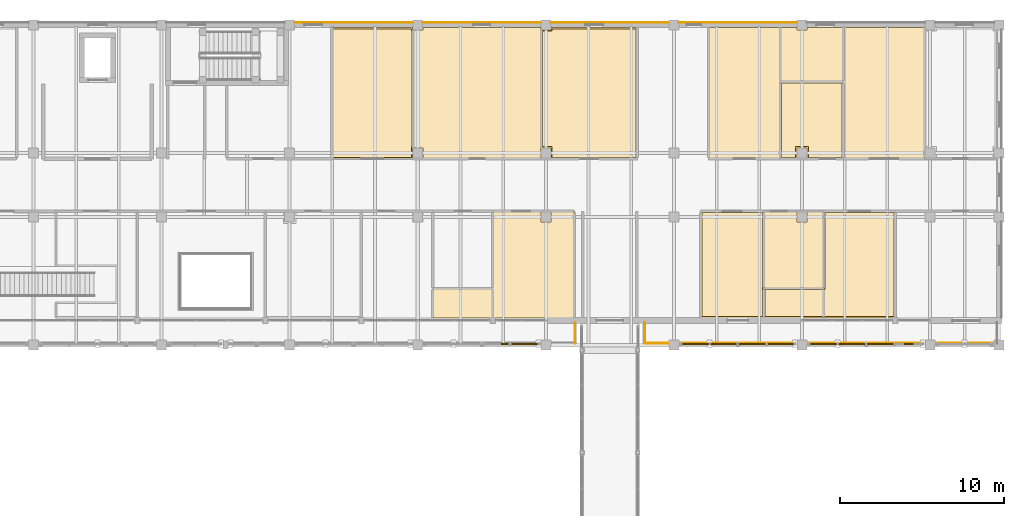
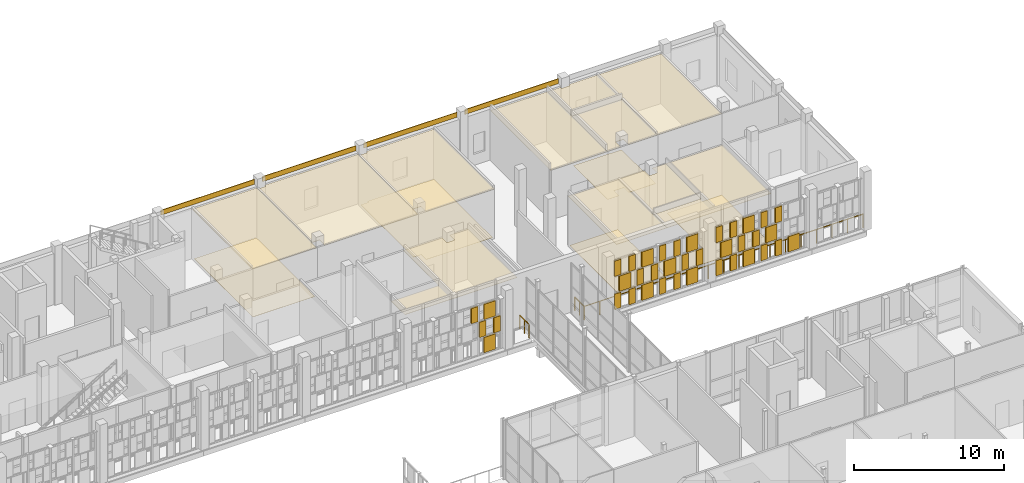
# One storey, part 137 of 138: 57 coverings, 3 railings.
"""IFC4 building model written with IfcOpenShell, lengths in metres."""

from ifc_helpers import new_model, si_unit, direction, frame, origin, origin_2d, place, context, subcontext, project, spatial, polyline, rectangle, circle, outline, extrude, material, layer, layer_set, type_object, element, save


model = new_model("IFC4")

# Units and contexts
model_context = context("Model", 3, precision=1e-05, world=origin(), true_north=direction((0.0, 1.0)))
body_context = subcontext(model_context, "Body", "Model", "MODEL_VIEW")
ifc_project = project(units=[si_unit("LENGTHUNIT", "METRE"), si_unit("AREAUNIT", "SQUARE_METRE"), si_unit("VOLUMEUNIT", "CUBIC_METRE"), si_unit("PLANEANGLEUNIT", "RADIAN"), si_unit("MASSUNIT", "GRAM", prefix="KILO")], contexts=[model_context])

# Site, building, storey
site_placement = place(None, origin())
site = spatial("IfcSite", under=ifc_project, at=site_placement, CompositionType="ELEMENT")
building_placement = place(site_placement, origin())
building = spatial("IfcBuilding", under=site, at=building_placement, Name="Celorna Specialist Clinic", CompositionType="ELEMENT")
storey_placement = place(building_placement, frame((0.0, 0.0, 4.800048828125)))
storey = spatial("IfcBuildingStorey", under=building, at=storey_placement, Name="L01", CompositionType="ELEMENT", Elevation=4.800048828125)

# Railings
ifc_material_1 = material(Name="Stainless steel and laminated glass balustrade", Category="steel")
railing_type = type_object("IfcRailingType", Name="BL-01", PredefinedType="BALUSTRADE", material=ifc_material_1)
railing_1_placement = place(storey_placement, frame((142.179931640625, 97.8798828125, 0.0)))
element("IfcRailing", 1, at=railing_1_placement, inside=storey, type_object=railing_type, Name="Central Outpatient Cloister Veranda perimeter balustrade 3", PredefinedType="BALUSTRADE", context=body_context, shape_type="SweptSolid", body=[
    extrude(circle(Radius=0.02392578125, at=origin_2d()), frame((0.0, 0.0, 1.09619140625), z_axis=(0.0, -1.0, 0.0), x_axis=(1.0, 0.0, 0.0)), (0.0, 0.0, 1.0), 1.259765625),
    extrude(circle(Radius=0.02099609375, at=origin_2d()), origin(), (0.0, 0.0, 1.0), 1.072021484375),
    extrude(circle(Radius=0.02099609375, at=origin_2d()), frame((0.0, -0.6298828125, 0.0)), (0.0, 0.0, 1.0), 1.072021484375),
    extrude(circle(Radius=0.02099609375, at=origin_2d()), frame((0.0, -1.259765625, 0.0)), (0.0, 0.0, 1.0), 1.072021484375),
])
railing_2_placement = place(storey_placement, frame((146.419921875, 96.6201171875, 0.0)))
element("IfcRailing", 2, at=railing_2_placement, inside=storey, type_object=railing_type, Name="East Outpatient Cloister Veranda perimeter balustrade 1", PredefinedType="BALUSTRADE", context=body_context, shape_type="SweptSolid", body=[
    extrude(circle(Radius=0.02392578125, at=origin_2d()), frame((0.0, 0.0, 1.09619140625), z_axis=(0.0, 1.0, 0.0), x_axis=(-1.0, 0.0, 0.0)), (0.0, 0.0, 1.0), 1.259765625),
    extrude(circle(Radius=0.02099609375, at=origin_2d()), origin(), (0.0, 0.0, 1.0), 1.072021484375),
    extrude(circle(Radius=0.02099609375, at=origin_2d()), frame((0.0, 0.6298828125, 0.0)), (0.0, 0.0, 1.0), 1.072021484375),
    extrude(circle(Radius=0.02099609375, at=origin_2d()), frame((0.0, 1.259765625, 0.0)), (0.0, 0.0, 1.0), 1.072021484375),
])
railing_3_placement = place(storey_placement, frame((167.8798828125, 96.6201171875, 0.0)))
element("IfcRailing", 3, at=railing_3_placement, inside=storey, type_object=railing_type, Name="East Outpatient Cloister Veranda perimeter balustrade 4", PredefinedType="BALUSTRADE", context=body_context, shape_type="SweptSolid", body=[
    extrude(circle(Radius=0.02392578125, at=origin_2d()), frame((0.0, 0.0, 1.09619140625), z_axis=(-1.0, 0.0, 0.0), x_axis=(0.0, -1.0, 0.0)), (0.0, 0.0, 1.0), 21.4599609375),
    extrude(circle(Radius=0.02099609375, at=origin_2d()), origin(), (0.0, 0.0, 1.0), 1.072021484375),
    extrude(circle(Radius=0.02099609375, at=origin_2d()), frame((-1.192138671875, 0.0, 0.0)), (0.0, 0.0, 1.0), 1.072021484375),
    extrude(circle(Radius=0.02099609375, at=origin_2d()), frame((-2.384521484375, 0.0, 0.0)), (0.0, 0.0, 1.0), 1.072021484375),
    extrude(circle(Radius=0.02099609375, at=origin_2d()), frame((-3.57666015625, 0.0, 0.0)), (0.0, 0.0, 1.0), 1.072021484375),
    extrude(circle(Radius=0.02099609375, at=origin_2d()), frame((-4.768798828125, 0.0, 0.0)), (0.0, 0.0, 1.0), 1.072021484375),
    extrude(circle(Radius=0.02099609375, at=origin_2d()), frame((-5.961181640625, 0.0, 0.0)), (0.0, 0.0, 1.0), 1.072021484375),
    extrude(circle(Radius=0.02099609375, at=origin_2d()), frame((-7.1533203125, 0.0, 0.0)), (0.0, 0.0, 1.0), 1.072021484375),
    extrude(circle(Radius=0.02099609375, at=origin_2d()), frame((-8.345458984375, 0.0, 0.0)), (0.0, 0.0, 1.0), 1.072021484375),
    extrude(circle(Radius=0.02099609375, at=origin_2d()), frame((-9.537841796875, 0.0, 0.0)), (0.0, 0.0, 1.0), 1.072021484375),
    extrude(circle(Radius=0.02099609375, at=origin_2d()), frame((-10.72998046875, 0.0, 0.0)), (0.0, 0.0, 1.0), 1.072021484375),
    extrude(circle(Radius=0.02099609375, at=origin_2d()), frame((-11.922119140625, 0.0, 0.0)), (0.0, 0.0, 1.0), 1.072021484375),
    extrude(circle(Radius=0.02099609375, at=origin_2d()), frame((-13.114501953125, 0.0, 0.0)), (0.0, 0.0, 1.0), 1.072021484375),
    extrude(circle(Radius=0.02099609375, at=origin_2d()), frame((-14.306640625, 0.0, 0.0)), (0.0, 0.0, 1.0), 1.072021484375),
    extrude(circle(Radius=0.02099609375, at=origin_2d()), frame((-15.498779296875, 0.0, 0.0)), (0.0, 0.0, 1.0), 1.072021484375),
    extrude(circle(Radius=0.02099609375, at=origin_2d()), frame((-16.691162109375, 0.0, 0.0)), (0.0, 0.0, 1.0), 1.072021484375),
    extrude(circle(Radius=0.02099609375, at=origin_2d()), frame((-17.88330078125, 0.0, 0.0)), (0.0, 0.0, 1.0), 1.072021484375),
    extrude(circle(Radius=0.02099609375, at=origin_2d()), frame((-19.075439453125, 0.0, 0.0)), (0.0, 0.0, 1.0), 1.072021484375),
    extrude(circle(Radius=0.02099609375, at=origin_2d()), frame((-20.267822265625, 0.0, 0.0)), (0.0, 0.0, 1.0), 1.072021484375),
    extrude(circle(Radius=0.02099609375, at=origin_2d()), frame((-21.4599609375, 0.0, 0.0)), (0.0, 0.0, 1.0), 1.072021484375),
])

# Coverings
ifc_material_2 = material(Name="Hygienic acoustic mineral-fibre ceiling")
ifc_layer_1 = layer(ifc_material_2, 0.030029296875, Name="Hygienic acoustic mineral-fibre ceiling")
ifc_layer_set_1 = layer_set([ifc_layer_1], Name="Hygienic acoustic mineral-fibre ceiling")
covering_type_1 = type_object("IfcCoveringType", Name="CE-01", PredefinedType="CEILING", material=ifc_layer_set_1)
covering_1_placement = place(storey_placement, frame((0.0, 0.0, 3.989990234375)))
element("IfcCovering", 4, at=covering_1_placement, inside=storey, type_object=covering_type_1, Name="Acoustic ceiling L01-069", PredefinedType="CEILING", context=body_context, shape_type="SweptSolid", body=[
    extrude(outline(polyline([(137.155029296875, 104.6650390625), (140.10498046875, 104.6650390625), (140.10498046875, 104.60498046875), (140.094970703125, 104.60498046875), (140.094970703125, 103.9951171875), (140.705078125, 103.9951171875), (140.705078125, 104.60498046875), (140.695068359375, 104.60498046875), (140.695068359375, 104.6650390625), (142.135009765625, 104.6650390625), (142.135009765625, 98.155029296875), (133.5048828125, 98.155029296875), (133.5048828125, 99.965087890625), (137.155029296875, 99.965087890625), (137.155029296875, 104.6650390625)])), origin(), (0.0, 0.0, 1.0), 0.030029296875),
])
covering_2_placement = place(storey_placement, frame((0.0, 0.0, 3.989990234375)))
element("IfcCovering", 5, at=covering_2_placement, inside=storey, type_object=covering_type_1, Name="Acoustic ceiling L01-070", PredefinedType="CEILING", context=body_context, shape_type="SweptSolid", body=[
    extrude(outline(polyline([(153.68505859375, 104.6650390625), (153.68505859375, 98.155029296875), (149.804931640625, 98.155029296875), (149.804931640625, 104.6650390625), (153.68505859375, 104.6650390625)])), origin(), (0.0, 0.0, 1.0), 0.030029296875),
])
covering_3_placement = place(storey_placement, frame((0.0, 0.0, 3.989990234375)))
element("IfcCovering", 6, at=covering_3_placement, inside=storey, type_object=covering_type_1, Name="Acoustic ceiling L01-071", PredefinedType="CEILING", context=body_context, shape_type="SweptSolid", body=[
    extrude(outline(polyline([(155.705078125, 104.6650390625), (155.705078125, 104.60498046875), (155.695068359375, 104.60498046875), (155.695068359375, 103.9951171875), (156.304931640625, 103.9951171875), (156.304931640625, 104.60498046875), (156.294921875, 104.60498046875), (156.294921875, 104.6650390625), (157.3349609375, 104.6650390625), (157.3349609375, 99.93505859375), (153.655029296875, 99.93505859375), (153.655029296875, 104.6650390625), (155.705078125, 104.6650390625)])), origin(), (0.0, 0.0, 1.0), 0.030029296875),
])
covering_4_placement = place(storey_placement, frame((0.0, 0.0, 3.989990234375)))
element("IfcCovering", 7, at=covering_4_placement, inside=storey, type_object=covering_type_1, Name="Acoustic ceiling L01-072", PredefinedType="CEILING", context=body_context, shape_type="SweptSolid", body=[
    extrude(outline(polyline([(157.304931640625, 104.6650390625), (161.68505859375, 104.6650390625), (161.68505859375, 98.155029296875), (153.655029296875, 98.155029296875), (153.655029296875, 99.965087890625), (157.304931640625, 99.965087890625), (157.304931640625, 104.6650390625)])), origin(), (0.0, 0.0, 1.0), 0.030029296875),
])
covering_5_placement = place(storey_placement, frame((0.0, 0.0, 3.989990234375)))
element("IfcCovering", 8, at=covering_5_placement, inside=storey, type_object=covering_type_1, Name="Acoustic ceiling L01-084", PredefinedType="CEILING", context=body_context, shape_type="SweptSolid", body=[
    extrude(outline(polyline([(132.294921875, 115.844970703125), (132.294921875, 115.695068359375), (132.3349609375, 115.695068359375), (132.3349609375, 108.5048828125), (132.294921875, 108.5048828125), (132.294921875, 107.89501953125), (132.304931640625, 107.89501953125), (132.304931640625, 107.8349609375), (127.35498046875, 107.8349609375), (127.35498046875, 115.844970703125), (132.294921875, 115.844970703125)])), origin(), (0.0, 0.0, 1.0), 0.030029296875),
])
covering_6_placement = place(storey_placement, frame((0.0, 0.0, 3.989990234375)))
element("IfcCovering", 9, at=covering_6_placement, inside=storey, type_object=covering_type_1, Name="Acoustic ceiling L01-085", PredefinedType="CEILING", context=body_context, shape_type="SweptSolid", body=[
    extrude(outline(polyline([(132.89501953125, 107.89501953125), (132.905029296875, 107.89501953125), (132.905029296875, 108.5048828125), (132.304931640625, 108.5048828125), (132.304931640625, 115.695068359375), (132.905029296875, 115.695068359375), (132.905029296875, 115.844970703125), (140.094970703125, 115.844970703125), (140.094970703125, 115.695068359375), (140.135009765625, 115.695068359375), (140.135009765625, 108.5048828125), (140.094970703125, 108.5048828125), (140.094970703125, 107.89501953125), (140.10498046875, 107.89501953125), (140.10498046875, 107.8349609375), (132.89501953125, 107.8349609375), (132.89501953125, 107.89501953125)])), origin(), (0.0, 0.0, 1.0), 0.030029296875),
])
covering_7_placement = place(storey_placement, frame((0.0, 0.0, 3.989990234375)))
element("IfcCovering", 10, at=covering_7_placement, inside=storey, type_object=covering_type_1, Name="Acoustic ceiling L01-086", PredefinedType="CEILING", context=body_context, shape_type="SweptSolid", body=[
    extrude(outline(polyline([(140.695068359375, 107.89501953125), (140.705078125, 107.89501953125), (140.705078125, 108.5048828125), (140.10498046875, 108.5048828125), (140.10498046875, 115.695068359375), (140.705078125, 115.695068359375), (140.705078125, 115.844970703125), (145.985107421875, 115.844970703125), (145.985107421875, 107.8349609375), (140.695068359375, 107.8349609375), (140.695068359375, 107.89501953125)])), origin(), (0.0, 0.0, 1.0), 0.030029296875),
])
covering_8_placement = place(storey_placement, frame((0.0, 0.0, 3.989990234375)))
element("IfcCovering", 11, at=covering_8_placement, inside=storey, type_object=covering_type_1, Name="Acoustic ceiling L01-087", PredefinedType="CEILING", context=body_context, shape_type="SweptSolid", body=[
    extrude(outline(polyline([(154.68505859375, 115.844970703125), (154.68505859375, 107.8349609375), (150.304931640625, 107.8349609375), (150.304931640625, 115.844970703125), (154.68505859375, 115.844970703125)])), origin(), (0.0, 0.0, 1.0), 0.030029296875),
])
covering_9_placement = place(storey_placement, frame((0.0, 0.0, 3.989990234375)))
element("IfcCovering", 12, at=covering_9_placement, inside=storey, type_object=covering_type_1, Name="Acoustic ceiling L01-088", PredefinedType="CEILING", context=body_context, shape_type="SweptSolid", body=[
    extrude(outline(polyline([(158.534912109375, 112.56494140625), (158.534912109375, 107.8349609375), (156.294921875, 107.8349609375), (156.294921875, 107.89501953125), (156.304931640625, 107.89501953125), (156.304931640625, 108.5048828125), (155.695068359375, 108.5048828125), (155.695068359375, 107.89501953125), (155.705078125, 107.89501953125), (155.705078125, 107.8349609375), (154.655029296875, 107.8349609375), (154.655029296875, 112.56494140625), (158.534912109375, 112.56494140625)])), origin(), (0.0, 0.0, 1.0), 0.030029296875),
])
covering_10_placement = place(storey_placement, frame((0.0, 0.0, 3.989990234375)))
element("IfcCovering", 13, at=covering_10_placement, inside=storey, type_object=covering_type_1, Name="Acoustic ceiling L01-089", PredefinedType="CEILING", context=body_context, shape_type="SweptSolid", body=[
    extrude(outline(polyline([(158.5048828125, 112.534912109375), (154.655029296875, 112.534912109375), (154.655029296875, 115.844970703125), (155.695068359375, 115.844970703125), (155.695068359375, 115.695068359375), (156.304931640625, 115.695068359375), (156.304931640625, 115.844970703125), (163.485107421875, 115.844970703125), (163.485107421875, 107.8349609375), (158.5048828125, 107.8349609375), (158.5048828125, 112.534912109375)])), origin(), (0.0, 0.0, 1.0), 0.030029296875),
])
ifc_material_3 = material(Name="Pero Pinheiro Lioz limestone rainscreen cladding", Category="masonry")
ifc_layer_2 = layer(ifc_material_3, 0.044921875, Name="Pero Pinheiro Lioz limestone rainscreen cladding")
ifc_layer_set_2 = layer_set([ifc_layer_2], Name="Pero Pinheiro Lioz limestone rainscreen cladding")
covering_type_2 = type_object("IfcCoveringType", Name="CL-01", PredefinedType="CLADDING", material=ifc_layer_set_2)
for number, where, z_axis, x_axis, name in (
    (14, (128.699951171875, 116.1474609375, 4.139892578125), (0.0, 0.0, 1.0), (1.0, 0.0, 0.0), "Lioz spandrel cladding #218"),
    (15, (136.5, 116.1474609375, 4.139892578125), (0.0, 0.0, 1.0), (1.0, 0.0, 0.0), "Lioz spandrel cladding #219"),
    (16, (144.300048828125, 116.1474609375, 4.139892578125), (0.0, 0.0, 1.0), (1.0, 0.0, 0.0), "Lioz spandrel cladding #220"),
    (17, (152.10009765625, 116.1474609375, 4.139892578125), (0.0, 0.0, 1.0), (1.0, 0.0, 0.0), "Lioz spandrel cladding #221"),
):
    element("IfcCovering", number, at=place(storey_placement, frame(where, z_axis=z_axis, x_axis=x_axis)), inside=storey, type_object=covering_type_2, Name=name, PredefinedType="CLADDING", context=body_context, shape_type="SweptSolid", body=[
        extrude(rectangle(XDim=7.199951171875, YDim=0.044921875, at=origin_2d()), origin(), (0.0, 0.0, 1.0), 0.39990234375),
    ])
ifc_material_4 = material(Name="Perforated terracotta brick weave cladding", Category="masonry")
ifc_layer_3 = layer(ifc_material_4, 0.114990234375, Name="Perforated terracotta brick weave cladding")
ifc_layer_set_3 = layer_set([ifc_layer_3], Name="Perforated terracotta brick weave cladding")
covering_type_3 = type_object("IfcCoveringType", Name="CL-02", PredefinedType="CLADDING", material=ifc_layer_set_3)
covering_11_placement = place(storey_placement, frame((137.924560546875, 96.570068359375, 2.793212890625), z_axis=(0.0, 0.0, 1.0), x_axis=(1.0, 0.0, 0.0)))
element("IfcCovering", 18, at=covering_11_placement, inside=storey, type_object=covering_type_3, Name="Woven perforated terracotta brick course #810", PredefinedType="CLADDING", context=body_context, shape_type="SweptSolid", body=[
    extrude(rectangle(XDim=0.490966796875, YDim=0.114990234375, at=origin_2d()), origin(), (0.0, 0.0, 1.0), 1.24658203125),
])
covering_12_placement = place(storey_placement, frame((139.094970703125, 96.570068359375, 0.10009765625), z_axis=(0.0, 0.0, 1.0), x_axis=(1.0, 0.0, 0.0)))
element("IfcCovering", 19, at=covering_12_placement, inside=storey, type_object=covering_type_3, Name="Woven perforated terracotta brick course #811", PredefinedType="CLADDING", context=body_context, shape_type="SweptSolid", body=[
    extrude(rectangle(XDim=0.869384765625, YDim=0.114990234375, at=origin_2d()), origin(), (0.0, 0.0, 1.0), 1.24658203125),
])
for number, where, z_axis, x_axis, name in (
    (20, (138.535400390625, 96.570068359375, 1.44677734375), (0.0, 0.0, 1.0), (1.0, 0.0, 0.0), "Woven perforated terracotta brick course #812"),
    (21, (139.654541015625, 96.570068359375, 1.44677734375), (0.0, 0.0, 1.0), (1.0, 0.0, 0.0), "Woven perforated terracotta brick course #813"),
):
    element("IfcCovering", number, at=place(storey_placement, frame(where, z_axis=z_axis, x_axis=x_axis)), inside=storey, type_object=covering_type_3, Name=name, PredefinedType="CLADDING", context=body_context, shape_type="SweptSolid", body=[
        extrude(rectangle(XDim=0.490966796875, YDim=0.114990234375, at=origin_2d()), origin(), (0.0, 0.0, 1.0), 1.24658203125),
    ])
covering_13_placement = place(storey_placement, frame((139.094970703125, 96.570068359375, 2.793212890625), z_axis=(0.0, 0.0, 1.0), x_axis=(1.0, 0.0, 0.0)))
element("IfcCovering", 22, at=covering_13_placement, inside=storey, type_object=covering_type_3, Name="Woven perforated terracotta brick course #814", PredefinedType="CLADDING", context=body_context, shape_type="SweptSolid", body=[
    extrude(rectangle(XDim=0.869384765625, YDim=0.114990234375, at=origin_2d()), origin(), (0.0, 0.0, 1.0), 1.24658203125),
])
for number, where, z_axis, x_axis, name in (
    (23, (148.945556640625, 96.570068359375, 0.10009765625), (0.0, 0.0, 1.0), (1.0, 0.0, 0.0), "Woven perforated terracotta brick course #815"),
    (24, (150.064453125, 96.570068359375, 0.10009765625), (0.0, 0.0, 1.0), (1.0, 0.0, 0.0), "Woven perforated terracotta brick course #816"),
):
    element("IfcCovering", number, at=place(storey_placement, frame(where, z_axis=z_axis, x_axis=x_axis)), inside=storey, type_object=covering_type_3, Name=name, PredefinedType="CLADDING", context=body_context, shape_type="SweptSolid", body=[
        extrude(rectangle(XDim=0.4912109375, YDim=0.114990234375, at=origin_2d()), origin(), (0.0, 0.0, 1.0), 1.24658203125),
    ])
covering_14_placement = place(storey_placement, frame((149.5048828125, 96.570068359375, 1.44677734375), z_axis=(0.0, 0.0, 1.0), x_axis=(1.0, 0.0, 0.0)))
element("IfcCovering", 25, at=covering_14_placement, inside=storey, type_object=covering_type_3, Name="Woven perforated terracotta brick course #817", PredefinedType="CLADDING", context=body_context, shape_type="SweptSolid", body=[
    extrude(rectangle(XDim=0.869384765625, YDim=0.114990234375, at=origin_2d()), origin(), (0.0, 0.0, 1.0), 1.24658203125),
])
for number, where, z_axis, x_axis, name in (
    (26, (148.945556640625, 96.570068359375, 2.793212890625), (0.0, 0.0, 1.0), (1.0, 0.0, 0.0), "Woven perforated terracotta brick course #818"),
    (27, (150.064453125, 96.570068359375, 2.793212890625), (0.0, 0.0, 1.0), (1.0, 0.0, 0.0), "Woven perforated terracotta brick course #819"),
):
    element("IfcCovering", number, at=place(storey_placement, frame(where, z_axis=z_axis, x_axis=x_axis)), inside=storey, type_object=covering_type_3, Name=name, PredefinedType="CLADDING", context=body_context, shape_type="SweptSolid", body=[
        extrude(rectangle(XDim=0.4912109375, YDim=0.114990234375, at=origin_2d()), origin(), (0.0, 0.0, 1.0), 1.24658203125),
    ])
covering_15_placement = place(storey_placement, frame((151.235107421875, 96.570068359375, 0.10009765625), z_axis=(0.0, 0.0, 1.0), x_axis=(1.0, 0.0, 0.0)))
element("IfcCovering", 28, at=covering_15_placement, inside=storey, type_object=covering_type_3, Name="Woven perforated terracotta brick course #820", PredefinedType="CLADDING", context=body_context, shape_type="SweptSolid", body=[
    extrude(rectangle(XDim=0.869384765625, YDim=0.114990234375, at=origin_2d()), origin(), (0.0, 0.0, 1.0), 1.24658203125),
])
for number, where, z_axis, x_axis, name in (
    (29, (150.675537109375, 96.570068359375, 1.44677734375), (0.0, 0.0, 1.0), (1.0, 0.0, 0.0), "Woven perforated terracotta brick course #821"),
    (30, (151.79443359375, 96.570068359375, 1.44677734375), (0.0, 0.0, 1.0), (1.0, 0.0, 0.0), "Woven perforated terracotta brick course #822"),
):
    element("IfcCovering", number, at=place(storey_placement, frame(where, z_axis=z_axis, x_axis=x_axis)), inside=storey, type_object=covering_type_3, Name=name, PredefinedType="CLADDING", context=body_context, shape_type="SweptSolid", body=[
        extrude(rectangle(XDim=0.4912109375, YDim=0.114990234375, at=origin_2d()), origin(), (0.0, 0.0, 1.0), 1.24658203125),
    ])
covering_16_placement = place(storey_placement, frame((151.235107421875, 96.570068359375, 2.793212890625), z_axis=(0.0, 0.0, 1.0), x_axis=(1.0, 0.0, 0.0)))
element("IfcCovering", 31, at=covering_16_placement, inside=storey, type_object=covering_type_3, Name="Woven perforated terracotta brick course #823", PredefinedType="CLADDING", context=body_context, shape_type="SweptSolid", body=[
    extrude(rectangle(XDim=0.869384765625, YDim=0.114990234375, at=origin_2d()), origin(), (0.0, 0.0, 1.0), 1.24658203125),
])
for number, where, z_axis, x_axis, name in (
    (32, (152.405517578125, 96.570068359375, 0.10009765625), (0.0, 0.0, 1.0), (1.0, 0.0, 0.0), "Woven perforated terracotta brick course #824"),
    (33, (153.5244140625, 96.570068359375, 0.10009765625), (0.0, 0.0, 1.0), (1.0, 0.0, 0.0), "Woven perforated terracotta brick course #825"),
):
    element("IfcCovering", number, at=place(storey_placement, frame(where, z_axis=z_axis, x_axis=x_axis)), inside=storey, type_object=covering_type_3, Name=name, PredefinedType="CLADDING", context=body_context, shape_type="SweptSolid", body=[
        extrude(rectangle(XDim=0.4912109375, YDim=0.114990234375, at=origin_2d()), origin(), (0.0, 0.0, 1.0), 1.24658203125),
    ])
covering_17_placement = place(storey_placement, frame((152.965087890625, 96.570068359375, 1.44677734375), z_axis=(0.0, 0.0, 1.0), x_axis=(1.0, 0.0, 0.0)))
element("IfcCovering", 34, at=covering_17_placement, inside=storey, type_object=covering_type_3, Name="Woven perforated terracotta brick course #826", PredefinedType="CLADDING", context=body_context, shape_type="SweptSolid", body=[
    extrude(rectangle(XDim=0.869384765625, YDim=0.114990234375, at=origin_2d()), origin(), (0.0, 0.0, 1.0), 1.24658203125),
])
for number, where, z_axis, x_axis, name in (
    (35, (152.405517578125, 96.570068359375, 2.793212890625), (0.0, 0.0, 1.0), (1.0, 0.0, 0.0), "Woven perforated terracotta brick course #827"),
    (36, (153.5244140625, 96.570068359375, 2.793212890625), (0.0, 0.0, 1.0), (1.0, 0.0, 0.0), "Woven perforated terracotta brick course #828"),
):
    element("IfcCovering", number, at=place(storey_placement, frame(where, z_axis=z_axis, x_axis=x_axis)), inside=storey, type_object=covering_type_3, Name=name, PredefinedType="CLADDING", context=body_context, shape_type="SweptSolid", body=[
        extrude(rectangle(XDim=0.4912109375, YDim=0.114990234375, at=origin_2d()), origin(), (0.0, 0.0, 1.0), 1.24658203125),
    ])
covering_18_placement = place(storey_placement, frame((154.695068359375, 96.570068359375, 0.10009765625), z_axis=(0.0, 0.0, 1.0), x_axis=(1.0, 0.0, 0.0)))
element("IfcCovering", 37, at=covering_18_placement, inside=storey, type_object=covering_type_3, Name="Woven perforated terracotta brick course #829", PredefinedType="CLADDING", context=body_context, shape_type="SweptSolid", body=[
    extrude(rectangle(XDim=0.869384765625, YDim=0.114990234375, at=origin_2d()), origin(), (0.0, 0.0, 1.0), 1.24658203125),
])
for number, where, z_axis, x_axis, name in (
    (38, (154.135498046875, 96.570068359375, 1.44677734375), (0.0, 0.0, 1.0), (1.0, 0.0, 0.0), "Woven perforated terracotta brick course #830"),
    (39, (155.25439453125, 96.570068359375, 1.44677734375), (0.0, 0.0, 1.0), (1.0, 0.0, 0.0), "Woven perforated terracotta brick course #831"),
):
    element("IfcCovering", number, at=place(storey_placement, frame(where, z_axis=z_axis, x_axis=x_axis)), inside=storey, type_object=covering_type_3, Name=name, PredefinedType="CLADDING", context=body_context, shape_type="SweptSolid", body=[
        extrude(rectangle(XDim=0.4912109375, YDim=0.114990234375, at=origin_2d()), origin(), (0.0, 0.0, 1.0), 1.24658203125),
    ])
covering_19_placement = place(storey_placement, frame((154.695068359375, 96.570068359375, 2.793212890625), z_axis=(0.0, 0.0, 1.0), x_axis=(1.0, 0.0, 0.0)))
element("IfcCovering", 40, at=covering_19_placement, inside=storey, type_object=covering_type_3, Name="Woven perforated terracotta brick course #832", PredefinedType="CLADDING", context=body_context, shape_type="SweptSolid", body=[
    extrude(rectangle(XDim=0.869384765625, YDim=0.114990234375, at=origin_2d()), origin(), (0.0, 0.0, 1.0), 1.24658203125),
])
for number, where, z_axis, x_axis, name in (
    (41, (156.74560546875, 96.570068359375, 0.10009765625), (0.0, 0.0, 1.0), (1.0, 0.0, 0.0), "Woven perforated terracotta brick course #833"),
    (42, (157.864501953125, 96.570068359375, 0.10009765625), (0.0, 0.0, 1.0), (1.0, 0.0, 0.0), "Woven perforated terracotta brick course #834"),
):
    element("IfcCovering", number, at=place(storey_placement, frame(where, z_axis=z_axis, x_axis=x_axis)), inside=storey, type_object=covering_type_3, Name=name, PredefinedType="CLADDING", context=body_context, shape_type="SweptSolid", body=[
        extrude(rectangle(XDim=0.4912109375, YDim=0.114990234375, at=origin_2d()), origin(), (0.0, 0.0, 1.0), 1.24658203125),
    ])
covering_20_placement = place(storey_placement, frame((157.304931640625, 96.570068359375, 1.44677734375), z_axis=(0.0, 0.0, 1.0), x_axis=(1.0, 0.0, 0.0)))
element("IfcCovering", 43, at=covering_20_placement, inside=storey, type_object=covering_type_3, Name="Woven perforated terracotta brick course #835", PredefinedType="CLADDING", context=body_context, shape_type="SweptSolid", body=[
    extrude(rectangle(XDim=0.869384765625, YDim=0.114990234375, at=origin_2d()), origin(), (0.0, 0.0, 1.0), 1.24658203125),
])
for number, where, z_axis, x_axis, name in (
    (44, (156.74560546875, 96.570068359375, 2.793212890625), (0.0, 0.0, 1.0), (1.0, 0.0, 0.0), "Woven perforated terracotta brick course #836"),
    (45, (157.864501953125, 96.570068359375, 2.793212890625), (0.0, 0.0, 1.0), (1.0, 0.0, 0.0), "Woven perforated terracotta brick course #837"),
):
    element("IfcCovering", number, at=place(storey_placement, frame(where, z_axis=z_axis, x_axis=x_axis)), inside=storey, type_object=covering_type_3, Name=name, PredefinedType="CLADDING", context=body_context, shape_type="SweptSolid", body=[
        extrude(rectangle(XDim=0.4912109375, YDim=0.114990234375, at=origin_2d()), origin(), (0.0, 0.0, 1.0), 1.24658203125),
    ])
covering_21_placement = place(storey_placement, frame((159.034912109375, 96.570068359375, 0.10009765625), z_axis=(0.0, 0.0, 1.0), x_axis=(1.0, 0.0, 0.0)))
element("IfcCovering", 46, at=covering_21_placement, inside=storey, type_object=covering_type_3, Name="Woven perforated terracotta brick course #838", PredefinedType="CLADDING", context=body_context, shape_type="SweptSolid", body=[
    extrude(rectangle(XDim=0.869384765625, YDim=0.114990234375, at=origin_2d()), origin(), (0.0, 0.0, 1.0), 1.24658203125),
])
for number, where, z_axis, x_axis, name in (
    (47, (158.4755859375, 96.570068359375, 1.44677734375), (0.0, 0.0, 1.0), (1.0, 0.0, 0.0), "Woven perforated terracotta brick course #839"),
    (48, (159.594482421875, 96.570068359375, 1.44677734375), (0.0, 0.0, 1.0), (1.0, 0.0, 0.0), "Woven perforated terracotta brick course #840"),
):
    element("IfcCovering", number, at=place(storey_placement, frame(where, z_axis=z_axis, x_axis=x_axis)), inside=storey, type_object=covering_type_3, Name=name, PredefinedType="CLADDING", context=body_context, shape_type="SweptSolid", body=[
        extrude(rectangle(XDim=0.4912109375, YDim=0.114990234375, at=origin_2d()), origin(), (0.0, 0.0, 1.0), 1.24658203125),
    ])
covering_22_placement = place(storey_placement, frame((159.034912109375, 96.570068359375, 2.793212890625), z_axis=(0.0, 0.0, 1.0), x_axis=(1.0, 0.0, 0.0)))
element("IfcCovering", 49, at=covering_22_placement, inside=storey, type_object=covering_type_3, Name="Woven perforated terracotta brick course #841", PredefinedType="CLADDING", context=body_context, shape_type="SweptSolid", body=[
    extrude(rectangle(XDim=0.869384765625, YDim=0.114990234375, at=origin_2d()), origin(), (0.0, 0.0, 1.0), 1.24658203125),
])
for number, where, z_axis, x_axis, name in (
    (50, (160.20556640625, 96.570068359375, 0.10009765625), (0.0, 0.0, 1.0), (1.0, 0.0, 0.0), "Woven perforated terracotta brick course #842"),
    (51, (161.324462890625, 96.570068359375, 0.10009765625), (0.0, 0.0, 1.0), (1.0, 0.0, 0.0), "Woven perforated terracotta brick course #843"),
):
    element("IfcCovering", number, at=place(storey_placement, frame(where, z_axis=z_axis, x_axis=x_axis)), inside=storey, type_object=covering_type_3, Name=name, PredefinedType="CLADDING", context=body_context, shape_type="SweptSolid", body=[
        extrude(rectangle(XDim=0.4912109375, YDim=0.114990234375, at=origin_2d()), origin(), (0.0, 0.0, 1.0), 1.24658203125),
    ])
covering_23_placement = place(storey_placement, frame((160.764892578125, 96.570068359375, 1.44677734375), z_axis=(0.0, 0.0, 1.0), x_axis=(1.0, 0.0, 0.0)))
element("IfcCovering", 52, at=covering_23_placement, inside=storey, type_object=covering_type_3, Name="Woven perforated terracotta brick course #844", PredefinedType="CLADDING", context=body_context, shape_type="SweptSolid", body=[
    extrude(rectangle(XDim=0.869384765625, YDim=0.114990234375, at=origin_2d()), origin(), (0.0, 0.0, 1.0), 1.24658203125),
])
for number, where, z_axis, x_axis, name in (
    (53, (160.20556640625, 96.570068359375, 2.793212890625), (0.0, 0.0, 1.0), (1.0, 0.0, 0.0), "Woven perforated terracotta brick course #845"),
    (54, (161.324462890625, 96.570068359375, 2.793212890625), (0.0, 0.0, 1.0), (1.0, 0.0, 0.0), "Woven perforated terracotta brick course #846"),
):
    element("IfcCovering", number, at=place(storey_placement, frame(where, z_axis=z_axis, x_axis=x_axis)), inside=storey, type_object=covering_type_3, Name=name, PredefinedType="CLADDING", context=body_context, shape_type="SweptSolid", body=[
        extrude(rectangle(XDim=0.4912109375, YDim=0.114990234375, at=origin_2d()), origin(), (0.0, 0.0, 1.0), 1.24658203125),
    ])
covering_24_placement = place(storey_placement, frame((162.4951171875, 96.570068359375, 0.10009765625), z_axis=(0.0, 0.0, 1.0), x_axis=(1.0, 0.0, 0.0)))
element("IfcCovering", 55, at=covering_24_placement, inside=storey, type_object=covering_type_3, Name="Woven perforated terracotta brick course #847", PredefinedType="CLADDING", context=body_context, shape_type="SweptSolid", body=[
    extrude(rectangle(XDim=0.869384765625, YDim=0.114990234375, at=origin_2d()), origin(), (0.0, 0.0, 1.0), 1.24658203125),
])
ifc_material_5 = material(Name="Seamless antimicrobial clinical vinyl and Lioz terrazzo flooring")
ifc_layer_4 = layer(ifc_material_5, 0.02001953125, Name="Seamless antimicrobial clinical vinyl and Lioz terrazzo flooring")
ifc_layer_set_4 = layer_set([ifc_layer_4], Name="Seamless antimicrobial clinical vinyl and Lioz terrazzo flooring")
covering_type_4 = type_object("IfcCoveringType", Name="FL-01", PredefinedType="FLOORING", material=ifc_layer_set_4)
covering_25_placement = place(storey_placement, origin())
element("IfcCovering", 56, at=covering_25_placement, inside=storey, type_object=covering_type_4, Name="Antimicrobial clinical flooring L01-070", PredefinedType="FLOORING", context=body_context, shape_type="SweptSolid", body=[
    extrude(outline(polyline([(149.89501953125, 104.574951171875), (153.594970703125, 104.574951171875), (153.594970703125, 98.2451171875), (149.89501953125, 98.2451171875), (149.89501953125, 104.574951171875)])), origin(), (0.0, 0.0, 1.0), 0.02001953125),
])
covering_26_placement = place(storey_placement, origin())
element("IfcCovering", 57, at=covering_26_placement, inside=storey, type_object=covering_type_4, Name="Antimicrobial clinical flooring L01-072", PredefinedType="FLOORING", context=body_context, shape_type="SweptSolid", body=[
    extrude(outline(polyline([(157.39501953125, 99.875), (157.39501953125, 104.574951171875), (161.594970703125, 104.574951171875), (161.594970703125, 98.2451171875), (153.7451171875, 98.2451171875), (153.7451171875, 99.875), (157.39501953125, 99.875)])), origin(), (0.0, 0.0, 1.0), 0.02001953125),
])
covering_27_placement = place(storey_placement, origin())
element("IfcCovering", 58, at=covering_27_placement, inside=storey, type_object=covering_type_4, Name="Antimicrobial clinical flooring L01-084", PredefinedType="FLOORING", context=body_context, shape_type="SweptSolid", body=[
    extrude(outline(polyline([(127.445068359375, 115.7548828125), (132.215087890625, 115.7548828125), (132.215087890625, 115.614990234375), (132.2451171875, 115.614990234375), (132.2451171875, 108.5849609375), (132.215087890625, 108.5849609375), (132.215087890625, 107.925048828125), (127.445068359375, 107.925048828125), (127.445068359375, 115.7548828125)])), origin(), (0.0, 0.0, 1.0), 0.02001953125),
])
covering_28_placement = place(storey_placement, origin())
element("IfcCovering", 59, at=covering_28_placement, inside=storey, type_object=covering_type_4, Name="Antimicrobial clinical flooring L01-086", PredefinedType="FLOORING", context=body_context, shape_type="SweptSolid", body=[
    extrude(outline(polyline([(140.784912109375, 107.925048828125), (140.784912109375, 108.5849609375), (140.195068359375, 108.5849609375), (140.195068359375, 115.614990234375), (140.784912109375, 115.614990234375), (140.784912109375, 115.7548828125), (145.89501953125, 115.7548828125), (145.89501953125, 107.925048828125), (140.784912109375, 107.925048828125)])), origin(), (0.0, 0.0, 1.0), 0.02001953125),
])
covering_29_placement = place(storey_placement, origin())
element("IfcCovering", 60, at=covering_29_placement, inside=storey, type_object=covering_type_4, Name="Antimicrobial clinical flooring L01-088", PredefinedType="FLOORING", context=body_context, shape_type="SweptSolid", body=[
    extrude(outline(polyline([(154.7451171875, 112.47509765625), (158.445068359375, 112.47509765625), (158.445068359375, 107.925048828125), (156.385009765625, 107.925048828125), (156.385009765625, 108.5849609375), (155.614990234375, 108.5849609375), (155.614990234375, 107.925048828125), (154.7451171875, 107.925048828125), (154.7451171875, 112.47509765625)])), origin(), (0.0, 0.0, 1.0), 0.02001953125),
])

save(model, "model.ifc")
